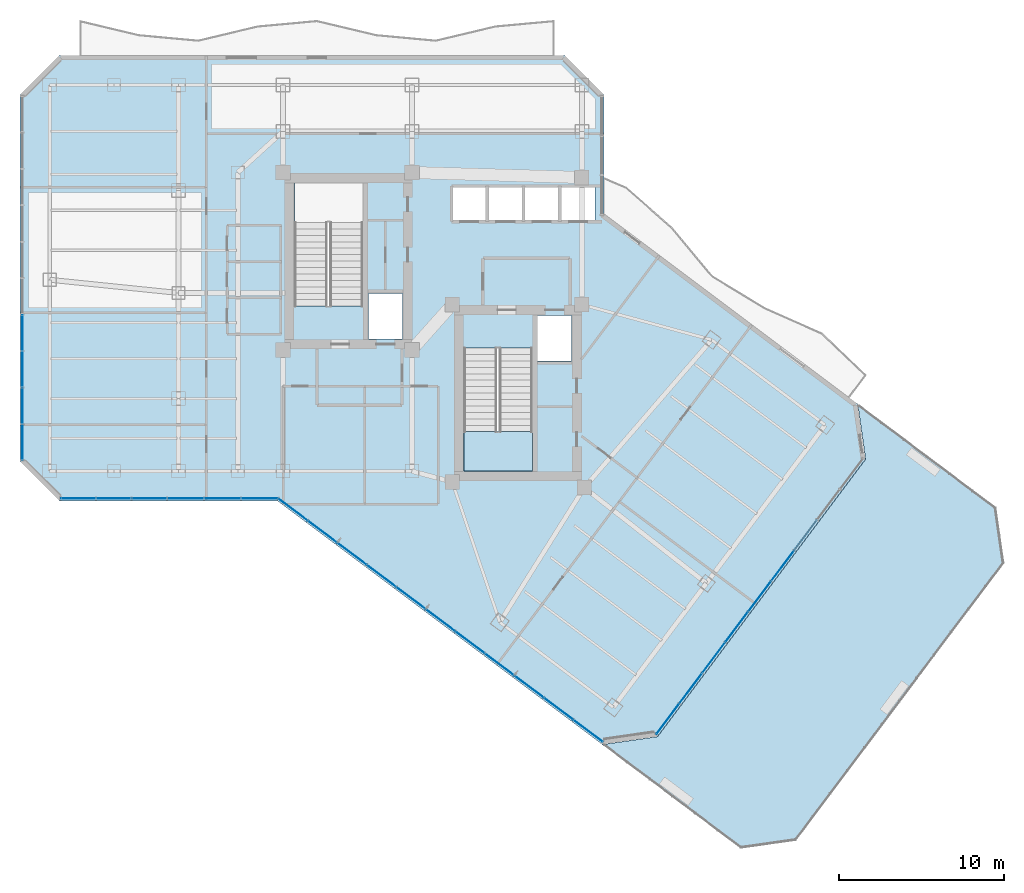
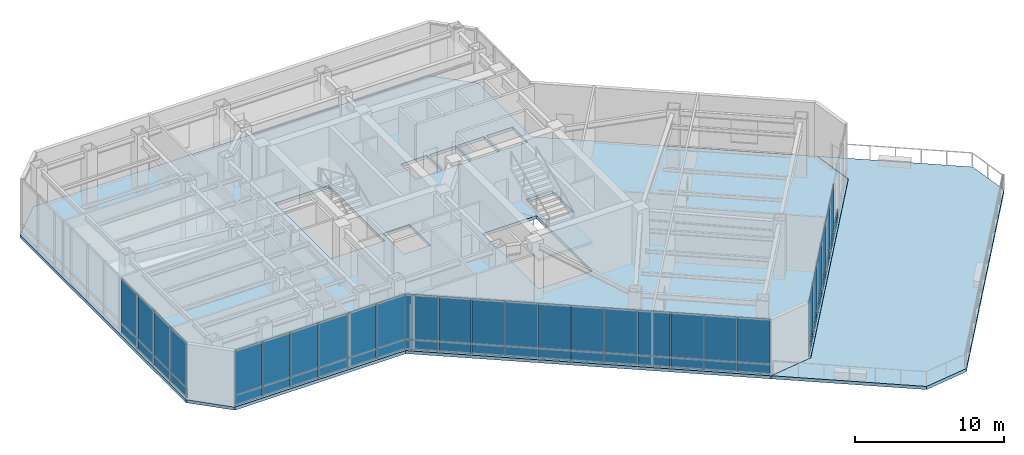
# One storey, part 21 of 30: 55 plates, 3 slabs, 6 elements without a shape of their own.
"""IFC4 building model written with IfcOpenShell, lengths in metres."""

from ifc_helpers import new_model, si_unit, direction, frame, origin, origin_2d, place, context, subcontext, project, spatial, polyline, rectangle, outline, extrude, material, layer, layer_set, type_object, element, aggregate, save


model = new_model("IFC4")

# Units and contexts
model_context = context("Model", 3, precision=1e-05, world=origin(), true_north=direction((0.0, 1.0)))
body_context = subcontext(model_context, "Body", "Model", "MODEL_VIEW")
ifc_project = project(units=[si_unit("LENGTHUNIT", "METRE"), si_unit("AREAUNIT", "SQUARE_METRE"), si_unit("VOLUMEUNIT", "CUBIC_METRE"), si_unit("PLANEANGLEUNIT", "RADIAN"), si_unit("MASSUNIT", "GRAM", prefix="KILO")], contexts=[model_context])

# Site, building, storey
site_placement = place(None, origin())
site = spatial("IfcSite", under=ifc_project, at=site_placement, CompositionType="ELEMENT")
building_placement = place(site_placement, origin())
building = spatial("IfcBuilding", under=site, at=building_placement, Name="Hatsunagi Terrace Concourse", CompositionType="ELEMENT")
storey_placement = place(building_placement, frame((0.0, 0.0, 130.050048828125)))
storey = spatial("IfcBuildingStorey", under=building, at=storey_placement, Name="L34", CompositionType="ELEMENT", Elevation=130.050048828125)

# Curtain wall, plates
ifc_material_1 = material(Name="Anodised Aluminium Alloy 6063-T5", Category="aluminium")
ifc_layer_1 = layer(ifc_material_1, 0.199951171875)
ifc_layer_set_1 = layer_set([ifc_layer_1], Name="SkyLobbyAtrium_CW05")
curtain_wall_type = type_object("IfcCurtainWallType", Name="SkyLobbyAtrium_CW05", PredefinedType="NOTDEFINED", material=ifc_layer_set_1)
curtain_wall_1_placement = place(storey_placement, origin())
curtain_wall_1 = element("IfcCurtainWall", 1, at=curtain_wall_1_placement, inside=storey, type_object=curtain_wall_type, Name="Unitised Curtain Wall CW-05 CW-L34-03", PredefinedType="NOTDEFINED")
ifc_material_2 = material(Name="Warm Terracotta Ceramic Spandrel Panel", Category="masonry")
ifc_layer_2 = layer(ifc_material_2, 0.031982421875)
ifc_layer_set_2 = layer_set([ifc_layer_2], Name="CurtainWallSpandrelPanel_32")
plate_type_1 = type_object("IfcPlateType", Name="CurtainWallSpandrelPanel_32", PredefinedType="SHEET", material=ifc_layer_set_2)
plate_1_placement = place(storey_placement, frame((57.2119140625, 21.31689453125, 0.030029296875), z_axis=(0.0, 0.0, 1.0), x_axis=(-0.599969314634, -0.800023013105, 0.0)))
plate_1 = element("IfcPlate", 2, at=plate_1_placement, type_object=plate_type_1, Name="Terracotta Spandrel Panel SPN-01", PredefinedType="SHEET", context=body_context, shape_type="SweptSolid", body=[
    extrude(rectangle(XDim=2.264892578125, YDim=0.031982421875, at=origin_2d()), origin(), (0.0, 0.0, 1.0), 0.7900390625),
])
plate_2_placement = place(storey_placement, frame((55.820068359375, 19.4599609375, 0.030029296875), z_axis=(0.0, 0.0, 1.0), x_axis=(-0.599969314634, -0.800023013105, 0.0)))
plate_2 = element("IfcPlate", 3, at=plate_2_placement, type_object=plate_type_1, Name="Terracotta Spandrel Panel SPN-01", PredefinedType="SHEET", context=body_context, shape_type="SweptSolid", body=[
    extrude(rectangle(XDim=2.264892578125, YDim=0.031982421875, at=origin_2d()), origin(), (0.0, 0.0, 1.0), 0.7900390625),
])
plate_3_placement = place(storey_placement, frame((54.427978515625, 17.60400390625, 0.030029296875), z_axis=(0.0, 0.0, 1.0), x_axis=(-0.599969314634, -0.800023013105, 0.0)))
plate_3 = element("IfcPlate", 4, at=plate_3_placement, type_object=plate_type_1, Name="Terracotta Spandrel Panel SPN-01", PredefinedType="SHEET", context=body_context, shape_type="SweptSolid", body=[
    extrude(rectangle(XDim=2.264892578125, YDim=0.031982421875, at=origin_2d()), origin(), (0.0, 0.0, 1.0), 0.7900390625),
])
plate_4_placement = place(storey_placement, frame((53.035888671875, 15.748046875, 0.030029296875), z_axis=(0.0, 0.0, 1.0), x_axis=(-0.599969314634, -0.800023013105, 0.0)))
plate_4 = element("IfcPlate", 5, at=plate_4_placement, type_object=plate_type_1, Name="Terracotta Spandrel Panel SPN-01", PredefinedType="SHEET", context=body_context, shape_type="SweptSolid", body=[
    extrude(rectangle(XDim=2.264892578125, YDim=0.031982421875, at=origin_2d()), origin(), (0.0, 0.0, 1.0), 0.7900390625),
])
plate_5_placement = place(storey_placement, frame((51.64404296875, 13.89111328125, 0.030029296875), z_axis=(0.0, 0.0, 1.0), x_axis=(-0.599969314634, -0.800023013105, 0.0)))
plate_5 = element("IfcPlate", 6, at=plate_5_placement, type_object=plate_type_1, Name="Terracotta Spandrel Panel SPN-01", PredefinedType="SHEET", context=body_context, shape_type="SweptSolid", body=[
    extrude(rectangle(XDim=2.264892578125, YDim=0.031982421875, at=origin_2d()), origin(), (0.0, 0.0, 1.0), 0.7900390625),
])
plate_6_placement = place(storey_placement, frame((50.2509765625, 12.034912109375, 0.030029296875), z_axis=(0.0, 0.0, 1.0), x_axis=(-0.599969314634, -0.800023013105, 0.0)))
plate_6 = element("IfcPlate", 7, at=plate_6_placement, type_object=plate_type_1, Name="Terracotta Spandrel Panel SPN-01", PredefinedType="SHEET", context=body_context, shape_type="SweptSolid", body=[
    extrude(rectangle(XDim=2.264892578125, YDim=0.031982421875, at=origin_2d()), origin(), (0.0, 0.0, 1.0), 0.7900390625),
])
plate_7_placement = place(storey_placement, frame((48.85888671875, 10.177978515625, 0.030029296875), z_axis=(0.0, 0.0, 1.0), x_axis=(-0.599969314634, -0.800023013105, 0.0)))
plate_7 = element("IfcPlate", 8, at=plate_7_placement, type_object=plate_type_1, Name="Terracotta Spandrel Panel SPN-01", PredefinedType="SHEET", context=body_context, shape_type="SweptSolid", body=[
    extrude(rectangle(XDim=2.264892578125, YDim=0.031982421875, at=origin_2d()), origin(), (0.0, 0.0, 1.0), 0.7900390625),
])

curtain_wall_2_placement = place(storey_placement, origin())
curtain_wall_2 = element("IfcCurtainWall", 9, at=curtain_wall_2_placement, inside=storey, type_object=curtain_wall_type, Name="Unitised Curtain Wall CW-05 CW-L34-05", PredefinedType="NOTDEFINED")
plate_8_placement = place(storey_placement, frame((44.02392578125, 9.4580078125, 0.030029296875), z_axis=(0.0, 0.0, 1.0), x_axis=(-0.800005211305, 0.599993051531, 0.0)))
plate_8 = element("IfcPlate", 10, at=plate_8_placement, type_object=plate_type_1, Name="Terracotta Spandrel Panel SPN-01", PredefinedType="SHEET", context=body_context, shape_type="SweptSolid", body=[
    extrude(rectangle(XDim=2.179931640625, YDim=0.031982421875, at=origin_2d()), origin(), (0.0, 0.0, 1.0), 0.7900390625),
])
plate_9_placement = place(storey_placement, frame((42.236083984375, 10.799072265625, 0.030029296875), z_axis=(0.0, 0.0, 1.0), x_axis=(-0.800005211305, 0.599993051531, 0.0)))
plate_9 = element("IfcPlate", 11, at=plate_9_placement, type_object=plate_type_1, Name="Terracotta Spandrel Panel SPN-01", PredefinedType="SHEET", context=body_context, shape_type="SweptSolid", body=[
    extrude(rectangle(XDim=2.179931640625, YDim=0.031982421875, at=origin_2d()), origin(), (0.0, 0.0, 1.0), 0.7900390625),
])
plate_10_placement = place(storey_placement, frame((40.447021484375, 12.139892578125, 0.030029296875), z_axis=(0.0, 0.0, 1.0), x_axis=(-0.800005211305, 0.599993051531, 0.0)))
plate_10 = element("IfcPlate", 12, at=plate_10_placement, type_object=plate_type_1, Name="Terracotta Spandrel Panel SPN-01", PredefinedType="SHEET", context=body_context, shape_type="SweptSolid", body=[
    extrude(rectangle(XDim=2.179931640625, YDim=0.031982421875, at=origin_2d()), origin(), (0.0, 0.0, 1.0), 0.7900390625),
])
plate_11_placement = place(storey_placement, frame((38.658935546875, 13.48095703125, 0.030029296875), z_axis=(0.0, 0.0, 1.0), x_axis=(-0.800005211305, 0.599993051531, 0.0)))
plate_11 = element("IfcPlate", 13, at=plate_11_placement, type_object=plate_type_1, Name="Terracotta Spandrel Panel SPN-01", PredefinedType="SHEET", context=body_context, shape_type="SweptSolid", body=[
    extrude(rectangle(XDim=2.179931640625, YDim=0.031982421875, at=origin_2d()), origin(), (0.0, 0.0, 1.0), 0.7900390625),
])
plate_12_placement = place(storey_placement, frame((36.87109375, 14.822021484375, 0.030029296875), z_axis=(0.0, 0.0, 1.0), x_axis=(-0.800005211305, 0.599993051531, 0.0)))
plate_12 = element("IfcPlate", 14, at=plate_12_placement, type_object=plate_type_1, Name="Terracotta Spandrel Panel SPN-01", PredefinedType="SHEET", context=body_context, shape_type="SweptSolid", body=[
    extrude(rectangle(XDim=2.179931640625, YDim=0.031982421875, at=origin_2d()), origin(), (0.0, 0.0, 1.0), 0.7900390625),
])
plate_13_placement = place(storey_placement, frame((35.08203125, 16.1630859375, 0.030029296875), z_axis=(0.0, 0.0, 1.0), x_axis=(-0.800005211305, 0.599993051531, 0.0)))
plate_13 = element("IfcPlate", 15, at=plate_13_placement, type_object=plate_type_1, Name="Terracotta Spandrel Panel SPN-01", PredefinedType="SHEET", context=body_context, shape_type="SweptSolid", body=[
    extrude(rectangle(XDim=2.179931640625, YDim=0.031982421875, at=origin_2d()), origin(), (0.0, 0.0, 1.0), 0.7900390625),
])
plate_14_placement = place(storey_placement, frame((33.2939453125, 17.5048828125, 0.030029296875), z_axis=(0.0, 0.0, 1.0), x_axis=(-0.800005211305, 0.599993051531, 0.0)))
plate_14 = element("IfcPlate", 16, at=plate_14_placement, type_object=plate_type_1, Name="Terracotta Spandrel Panel SPN-01", PredefinedType="SHEET", context=body_context, shape_type="SweptSolid", body=[
    extrude(rectangle(XDim=2.179931640625, YDim=0.031982421875, at=origin_2d()), origin(), (0.0, 0.0, 1.0), 0.7900390625),
])
plate_15_placement = place(storey_placement, frame((31.506103515625, 18.845947265625, 0.030029296875), z_axis=(0.0, 0.0, 1.0), x_axis=(-0.800005211305, 0.599993051531, 0.0)))
plate_15 = element("IfcPlate", 17, at=plate_15_placement, type_object=plate_type_1, Name="Terracotta Spandrel Panel SPN-01", PredefinedType="SHEET", context=body_context, shape_type="SweptSolid", body=[
    extrude(rectangle(XDim=2.179931640625, YDim=0.031982421875, at=origin_2d()), origin(), (0.0, 0.0, 1.0), 0.7900390625),
])
plate_16_placement = place(storey_placement, frame((29.718017578125, 20.18701171875, 0.030029296875), z_axis=(0.0, 0.0, 1.0), x_axis=(-0.800005211305, 0.599993051531, 0.0)))
plate_16 = element("IfcPlate", 18, at=plate_16_placement, type_object=plate_type_1, Name="Terracotta Spandrel Panel SPN-01", PredefinedType="SHEET", context=body_context, shape_type="SweptSolid", body=[
    extrude(rectangle(XDim=2.179931640625, YDim=0.031982421875, at=origin_2d()), origin(), (0.0, 0.0, 1.0), 0.7900390625),
])
plate_17_placement = place(storey_placement, frame((27.928955078125, 21.528076171875, 0.030029296875), z_axis=(0.0, 0.0, 1.0), x_axis=(-0.800005211305, 0.599993051531, 0.0)))
plate_17 = element("IfcPlate", 19, at=plate_17_placement, type_object=plate_type_1, Name="Terracotta Spandrel Panel SPN-01", PredefinedType="SHEET", context=body_context, shape_type="SweptSolid", body=[
    extrude(rectangle(XDim=2.179931640625, YDim=0.031982421875, at=origin_2d()), origin(), (0.0, 0.0, 1.0), 0.7900390625),
])
plate_18_placement = place(storey_placement, frame((26.14111328125, 22.868896484375, 0.030029296875), z_axis=(0.0, 0.0, 1.0), x_axis=(-0.800005211305, 0.599993051531, 0.0)))
plate_18 = element("IfcPlate", 20, at=plate_18_placement, type_object=plate_type_1, Name="Terracotta Spandrel Panel SPN-01", PredefinedType="SHEET", context=body_context, shape_type="SweptSolid", body=[
    extrude(rectangle(XDim=2.179931640625, YDim=0.031982421875, at=origin_2d()), origin(), (0.0, 0.0, 1.0), 0.7900390625),
])

curtain_wall_3_placement = place(storey_placement, origin())
curtain_wall_3 = element("IfcCurtainWall", 21, at=curtain_wall_3_placement, inside=storey, type_object=curtain_wall_type, Name="Unitised Curtain Wall CW-05 CW-L34-06", PredefinedType="NOTDEFINED")
plate_19_placement = place(storey_placement, frame((24.1220703125, 23.5400390625, 0.030029296875), z_axis=(0.0, 0.0, 1.0), x_axis=(-1.0, 0.0, 0.0)))
plate_19 = element("IfcPlate", 22, at=plate_19_placement, type_object=plate_type_1, Name="Terracotta Spandrel Panel SPN-01", PredefinedType="SHEET", context=body_context, shape_type="SweptSolid", body=[
    extrude(rectangle(XDim=2.194091796875, YDim=0.031982421875, at=origin_2d()), origin(), (0.0, 0.0, 1.0), 0.7900390625),
])
plate_20_placement = place(storey_placement, frame((21.873046875, 23.5400390625, 0.030029296875), z_axis=(0.0, 0.0, 1.0), x_axis=(-1.0, 0.0, 0.0)))
plate_20 = element("IfcPlate", 23, at=plate_20_placement, type_object=plate_type_1, Name="Terracotta Spandrel Panel SPN-01", PredefinedType="SHEET", context=body_context, shape_type="SweptSolid", body=[
    extrude(rectangle(XDim=2.194091796875, YDim=0.031982421875, at=origin_2d()), origin(), (0.0, 0.0, 1.0), 0.7900390625),
])
plate_21_placement = place(storey_placement, frame((19.6240234375, 23.5400390625, 0.030029296875), z_axis=(0.0, 0.0, 1.0), x_axis=(-1.0, 0.0, 0.0)))
plate_21 = element("IfcPlate", 24, at=plate_21_placement, type_object=plate_type_1, Name="Terracotta Spandrel Panel SPN-01", PredefinedType="SHEET", context=body_context, shape_type="SweptSolid", body=[
    extrude(rectangle(XDim=2.194091796875, YDim=0.031982421875, at=origin_2d()), origin(), (0.0, 0.0, 1.0), 0.7900390625),
])

curtain_wall_4_placement = place(storey_placement, origin())
curtain_wall_4 = element("IfcCurtainWall", 25, at=curtain_wall_4_placement, inside=storey, type_object=curtain_wall_type, Name="Unitised Curtain Wall CW-05 CW-L34-07", PredefinedType="NOTDEFINED")
plate_22_placement = place(storey_placement, frame((17.426025390625, 23.5400390625, 0.030029296875), z_axis=(0.0, 0.0, 1.0), x_axis=(-1.0, 0.0, 0.0)))
plate_22 = element("IfcPlate", 26, at=plate_22_placement, type_object=plate_type_1, Name="Terracotta Spandrel Panel SPN-01", PredefinedType="SHEET", context=body_context, shape_type="SweptSolid", body=[
    extrude(rectangle(XDim=2.092041015625, YDim=0.031982421875, at=origin_2d()), origin(), (0.0, 0.0, 1.0), 0.7900390625),
])
plate_23_placement = place(storey_placement, frame((15.279052734375, 23.5400390625, 0.030029296875), z_axis=(0.0, 0.0, 1.0), x_axis=(-1.0, 0.0, 0.0)))
plate_23 = element("IfcPlate", 27, at=plate_23_placement, type_object=plate_type_1, Name="Terracotta Spandrel Panel SPN-01", PredefinedType="SHEET", context=body_context, shape_type="SweptSolid", body=[
    extrude(rectangle(XDim=2.092041015625, YDim=0.031982421875, at=origin_2d()), origin(), (0.0, 0.0, 1.0), 0.7900390625),
])
plate_24_placement = place(storey_placement, frame((13.132080078125, 23.5400390625, 0.030029296875), z_axis=(0.0, 0.0, 1.0), x_axis=(-1.0, 0.0, 0.0)))
plate_24 = element("IfcPlate", 28, at=plate_24_placement, type_object=plate_type_1, Name="Terracotta Spandrel Panel SPN-01", PredefinedType="SHEET", context=body_context, shape_type="SweptSolid", body=[
    extrude(rectangle(XDim=2.092041015625, YDim=0.031982421875, at=origin_2d()), origin(), (0.0, 0.0, 1.0), 0.7900390625),
])

curtain_wall_5_placement = place(storey_placement, origin())
curtain_wall_5 = element("IfcCurtainWall", 29, at=curtain_wall_5_placement, inside=storey, type_object=curtain_wall_type, Name="Unitised Curtain Wall CW-05 CW-L34-09", PredefinedType="NOTDEFINED")
plate_25_placement = place(storey_placement, frame((9.739990234375, 26.9619140625, 0.030029296875), z_axis=(0.0, 0.0, 1.0), x_axis=(0.0, 1.0, 0.0)))
plate_25 = element("IfcPlate", 30, at=plate_25_placement, type_object=plate_type_1, Name="Terracotta Spandrel Panel SPN-01", PredefinedType="SHEET", context=body_context, shape_type="SweptSolid", body=[
    extrude(rectangle(XDim=2.153076171875, YDim=0.031982421875, at=origin_2d()), origin(), (0.0, 0.0, 1.0), 0.7900390625),
])
plate_26_placement = place(storey_placement, frame((9.739990234375, 29.1708984375, 0.030029296875), z_axis=(0.0, 0.0, 1.0), x_axis=(0.0, 1.0, 0.0)))
plate_26 = element("IfcPlate", 31, at=plate_26_placement, type_object=plate_type_1, Name="Terracotta Spandrel Panel SPN-01", PredefinedType="SHEET", context=body_context, shape_type="SweptSolid", body=[
    extrude(rectangle(XDim=2.153076171875, YDim=0.031982421875, at=origin_2d()), origin(), (0.0, 0.0, 1.0), 0.7900390625),
])
plate_27_placement = place(storey_placement, frame((9.739990234375, 31.37890625, 0.030029296875), z_axis=(0.0, 0.0, 1.0), x_axis=(0.0, 1.0, 0.0)))
plate_27 = element("IfcPlate", 32, at=plate_27_placement, type_object=plate_type_1, Name="Terracotta Spandrel Panel SPN-01", PredefinedType="SHEET", context=body_context, shape_type="SweptSolid", body=[
    extrude(rectangle(XDim=2.153076171875, YDim=0.031982421875, at=origin_2d()), origin(), (0.0, 0.0, 1.0), 0.7900390625),
])
plate_28_placement = place(storey_placement, frame((9.739990234375, 33.5869140625, 0.030029296875), z_axis=(0.0, 0.0, 1.0), x_axis=(0.0, 1.0, 0.0)))
plate_28 = element("IfcPlate", 33, at=plate_28_placement, type_object=plate_type_1, Name="Terracotta Spandrel Panel SPN-01", PredefinedType="SHEET", context=body_context, shape_type="SweptSolid", body=[
    extrude(rectangle(XDim=2.153076171875, YDim=0.031982421875, at=origin_2d()), origin(), (0.0, 0.0, 1.0), 0.7900390625),
])

# Plate
ifc_material_3 = material(Name="Low-E Double Insulating Glass 28mm", Category="glass")
ifc_layer_3 = layer(ifc_material_3, 0.028076171875)
ifc_layer_set_3 = layer_set([ifc_layer_3], Name="CurtainWallVisionGlass_28")
plate_type_2 = type_object("IfcPlateType", Name="CurtainWallVisionGlass_28", PredefinedType="CURTAIN_PANEL", material=ifc_layer_set_3)
plate_29_placement = place(storey_placement, frame((55.820068359375, 19.4599609375, 0.8798828125), z_axis=(0.0, 0.0, 1.0), x_axis=(-0.599969314634, -0.800023013105, 0.0)))
plate_29 = element("IfcPlate", 34, at=plate_29_placement, type_object=plate_type_2, Name="Low-E Vision Glass Panel GLZ-01", PredefinedType="CURTAIN_PANEL", context=body_context, shape_type="SweptSolid", body=[
    extrude(rectangle(XDim=2.264892578125, YDim=0.028076171875, at=origin_2d()), origin(), (0.0, 0.0, 1.0), 3.639892578125),
])

plate_30_placement = place(storey_placement, frame((54.427978515625, 17.60400390625, 0.8798828125), z_axis=(0.0, 0.0, 1.0), x_axis=(-0.599969314634, -0.800023013105, 0.0)))
plate_30 = element("IfcPlate", 35, at=plate_30_placement, type_object=plate_type_2, Name="Low-E Vision Glass Panel GLZ-01", PredefinedType="CURTAIN_PANEL", context=body_context, shape_type="SweptSolid", body=[
    extrude(rectangle(XDim=2.264892578125, YDim=0.028076171875, at=origin_2d()), origin(), (0.0, 0.0, 1.0), 3.639892578125),
])

plate_31_placement = place(storey_placement, frame((53.035888671875, 15.748046875, 0.8798828125), z_axis=(0.0, 0.0, 1.0), x_axis=(-0.599969314634, -0.800023013105, 0.0)))
plate_31 = element("IfcPlate", 36, at=plate_31_placement, type_object=plate_type_2, Name="Low-E Vision Glass Panel GLZ-01", PredefinedType="CURTAIN_PANEL", context=body_context, shape_type="SweptSolid", body=[
    extrude(rectangle(XDim=2.264892578125, YDim=0.028076171875, at=origin_2d()), origin(), (0.0, 0.0, 1.0), 3.639892578125),
])

plate_32_placement = place(storey_placement, frame((51.64404296875, 13.89111328125, 0.8798828125), z_axis=(0.0, 0.0, 1.0), x_axis=(-0.599969314634, -0.800023013105, 0.0)))
plate_32 = element("IfcPlate", 37, at=plate_32_placement, type_object=plate_type_2, Name="Low-E Vision Glass Panel GLZ-01", PredefinedType="CURTAIN_PANEL", context=body_context, shape_type="SweptSolid", body=[
    extrude(rectangle(XDim=2.264892578125, YDim=0.028076171875, at=origin_2d()), origin(), (0.0, 0.0, 1.0), 3.639892578125),
])

plate_33_placement = place(storey_placement, frame((50.2509765625, 12.034912109375, 0.8798828125), z_axis=(0.0, 0.0, 1.0), x_axis=(-0.599969314634, -0.800023013105, 0.0)))
plate_33 = element("IfcPlate", 38, at=plate_33_placement, type_object=plate_type_2, Name="Low-E Vision Glass Panel GLZ-01", PredefinedType="CURTAIN_PANEL", context=body_context, shape_type="SweptSolid", body=[
    extrude(rectangle(XDim=2.264892578125, YDim=0.028076171875, at=origin_2d()), origin(), (0.0, 0.0, 1.0), 3.639892578125),
])

plate_34_placement = place(storey_placement, frame((48.85888671875, 10.177978515625, 0.8798828125), z_axis=(0.0, 0.0, 1.0), x_axis=(-0.599969314634, -0.800023013105, 0.0)))
plate_34 = element("IfcPlate", 39, at=plate_34_placement, type_object=plate_type_2, Name="Low-E Vision Glass Panel GLZ-01", PredefinedType="CURTAIN_PANEL", context=body_context, shape_type="SweptSolid", body=[
    extrude(rectangle(XDim=2.264892578125, YDim=0.028076171875, at=origin_2d()), origin(), (0.0, 0.0, 1.0), 3.639892578125),
])

aggregate(curtain_wall_1, [plate_1, plate_2, plate_29, plate_3, plate_30, plate_4, plate_31, plate_5, plate_32, plate_6, plate_33, plate_7, plate_34])

plate_35_placement = place(storey_placement, frame((44.02392578125, 9.4580078125, 0.8798828125), z_axis=(0.0, 0.0, 1.0), x_axis=(-0.800005211305, 0.599993051531, 0.0)))
plate_35 = element("IfcPlate", 40, at=plate_35_placement, type_object=plate_type_2, Name="Low-E Vision Glass Panel GLZ-01", PredefinedType="CURTAIN_PANEL", context=body_context, shape_type="SweptSolid", body=[
    extrude(rectangle(XDim=2.179931640625, YDim=0.028076171875, at=origin_2d()), origin(), (0.0, 0.0, 1.0), 3.639892578125),
])

plate_36_placement = place(storey_placement, frame((42.236083984375, 10.799072265625, 0.8798828125), z_axis=(0.0, 0.0, 1.0), x_axis=(-0.800005211305, 0.599993051531, 0.0)))
plate_36 = element("IfcPlate", 41, at=plate_36_placement, type_object=plate_type_2, Name="Low-E Vision Glass Panel GLZ-01", PredefinedType="CURTAIN_PANEL", context=body_context, shape_type="SweptSolid", body=[
    extrude(rectangle(XDim=2.179931640625, YDim=0.028076171875, at=origin_2d()), origin(), (0.0, 0.0, 1.0), 3.639892578125),
])

plate_37_placement = place(storey_placement, frame((40.447021484375, 12.139892578125, 0.8798828125), z_axis=(0.0, 0.0, 1.0), x_axis=(-0.800005211305, 0.599993051531, 0.0)))
plate_37 = element("IfcPlate", 42, at=plate_37_placement, type_object=plate_type_2, Name="Low-E Vision Glass Panel GLZ-01", PredefinedType="CURTAIN_PANEL", context=body_context, shape_type="SweptSolid", body=[
    extrude(rectangle(XDim=2.179931640625, YDim=0.028076171875, at=origin_2d()), origin(), (0.0, 0.0, 1.0), 3.639892578125),
])

plate_38_placement = place(storey_placement, frame((38.658935546875, 13.48095703125, 0.8798828125), z_axis=(0.0, 0.0, 1.0), x_axis=(-0.800005211305, 0.599993051531, 0.0)))
plate_38 = element("IfcPlate", 43, at=plate_38_placement, type_object=plate_type_2, Name="Low-E Vision Glass Panel GLZ-01", PredefinedType="CURTAIN_PANEL", context=body_context, shape_type="SweptSolid", body=[
    extrude(rectangle(XDim=2.179931640625, YDim=0.028076171875, at=origin_2d()), origin(), (0.0, 0.0, 1.0), 3.639892578125),
])

plate_39_placement = place(storey_placement, frame((36.87109375, 14.822021484375, 0.8798828125), z_axis=(0.0, 0.0, 1.0), x_axis=(-0.800005211305, 0.599993051531, 0.0)))
plate_39 = element("IfcPlate", 44, at=plate_39_placement, type_object=plate_type_2, Name="Low-E Vision Glass Panel GLZ-01", PredefinedType="CURTAIN_PANEL", context=body_context, shape_type="SweptSolid", body=[
    extrude(rectangle(XDim=2.179931640625, YDim=0.028076171875, at=origin_2d()), origin(), (0.0, 0.0, 1.0), 3.639892578125),
])

plate_40_placement = place(storey_placement, frame((35.08203125, 16.1630859375, 0.8798828125), z_axis=(0.0, 0.0, 1.0), x_axis=(-0.800005211305, 0.599993051531, 0.0)))
plate_40 = element("IfcPlate", 45, at=plate_40_placement, type_object=plate_type_2, Name="Low-E Vision Glass Panel GLZ-01", PredefinedType="CURTAIN_PANEL", context=body_context, shape_type="SweptSolid", body=[
    extrude(rectangle(XDim=2.179931640625, YDim=0.028076171875, at=origin_2d()), origin(), (0.0, 0.0, 1.0), 3.639892578125),
])

plate_41_placement = place(storey_placement, frame((33.2939453125, 17.5048828125, 0.8798828125), z_axis=(0.0, 0.0, 1.0), x_axis=(-0.800005211305, 0.599993051531, 0.0)))
plate_41 = element("IfcPlate", 46, at=plate_41_placement, type_object=plate_type_2, Name="Low-E Vision Glass Panel GLZ-01", PredefinedType="CURTAIN_PANEL", context=body_context, shape_type="SweptSolid", body=[
    extrude(rectangle(XDim=2.179931640625, YDim=0.028076171875, at=origin_2d()), origin(), (0.0, 0.0, 1.0), 3.639892578125),
])

plate_42_placement = place(storey_placement, frame((31.506103515625, 18.845947265625, 0.8798828125), z_axis=(0.0, 0.0, 1.0), x_axis=(-0.800005211305, 0.599993051531, 0.0)))
plate_42 = element("IfcPlate", 47, at=plate_42_placement, type_object=plate_type_2, Name="Low-E Vision Glass Panel GLZ-01", PredefinedType="CURTAIN_PANEL", context=body_context, shape_type="SweptSolid", body=[
    extrude(rectangle(XDim=2.179931640625, YDim=0.028076171875, at=origin_2d()), origin(), (0.0, 0.0, 1.0), 3.639892578125),
])

plate_43_placement = place(storey_placement, frame((29.718017578125, 20.18701171875, 0.8798828125), z_axis=(0.0, 0.0, 1.0), x_axis=(-0.800005211305, 0.599993051531, 0.0)))
plate_43 = element("IfcPlate", 48, at=plate_43_placement, type_object=plate_type_2, Name="Low-E Vision Glass Panel GLZ-01", PredefinedType="CURTAIN_PANEL", context=body_context, shape_type="SweptSolid", body=[
    extrude(rectangle(XDim=2.179931640625, YDim=0.028076171875, at=origin_2d()), origin(), (0.0, 0.0, 1.0), 3.639892578125),
])

plate_44_placement = place(storey_placement, frame((27.928955078125, 21.528076171875, 0.8798828125), z_axis=(0.0, 0.0, 1.0), x_axis=(-0.800005211305, 0.599993051531, 0.0)))
plate_44 = element("IfcPlate", 49, at=plate_44_placement, type_object=plate_type_2, Name="Low-E Vision Glass Panel GLZ-01", PredefinedType="CURTAIN_PANEL", context=body_context, shape_type="SweptSolid", body=[
    extrude(rectangle(XDim=2.179931640625, YDim=0.028076171875, at=origin_2d()), origin(), (0.0, 0.0, 1.0), 3.639892578125),
])

plate_45_placement = place(storey_placement, frame((26.14111328125, 22.868896484375, 0.8798828125), z_axis=(0.0, 0.0, 1.0), x_axis=(-0.800005211305, 0.599993051531, 0.0)))
plate_45 = element("IfcPlate", 50, at=plate_45_placement, type_object=plate_type_2, Name="Low-E Vision Glass Panel GLZ-01", PredefinedType="CURTAIN_PANEL", context=body_context, shape_type="SweptSolid", body=[
    extrude(rectangle(XDim=2.179931640625, YDim=0.028076171875, at=origin_2d()), origin(), (0.0, 0.0, 1.0), 3.639892578125),
])

aggregate(curtain_wall_2, [plate_8, plate_35, plate_9, plate_36, plate_10, plate_37, plate_11, plate_38, plate_12, plate_39, plate_13, plate_40, plate_14, plate_41, plate_15, plate_42, plate_16, plate_43, plate_17, plate_44, plate_18, plate_45])

plate_46_placement = place(storey_placement, frame((24.1220703125, 23.5400390625, 0.8798828125), z_axis=(0.0, 0.0, 1.0), x_axis=(-1.0, 0.0, 0.0)))
plate_46 = element("IfcPlate", 51, at=plate_46_placement, type_object=plate_type_2, Name="Low-E Vision Glass Panel GLZ-01", PredefinedType="CURTAIN_PANEL", context=body_context, shape_type="SweptSolid", body=[
    extrude(rectangle(XDim=2.194091796875, YDim=0.028076171875, at=origin_2d()), origin(), (0.0, 0.0, 1.0), 3.639892578125),
])

plate_47_placement = place(storey_placement, frame((21.873046875, 23.5400390625, 0.8798828125), z_axis=(0.0, 0.0, 1.0), x_axis=(-1.0, 0.0, 0.0)))
plate_47 = element("IfcPlate", 52, at=plate_47_placement, type_object=plate_type_2, Name="Low-E Vision Glass Panel GLZ-01", PredefinedType="CURTAIN_PANEL", context=body_context, shape_type="SweptSolid", body=[
    extrude(rectangle(XDim=2.194091796875, YDim=0.028076171875, at=origin_2d()), origin(), (0.0, 0.0, 1.0), 3.639892578125),
])

plate_48_placement = place(storey_placement, frame((19.6240234375, 23.5400390625, 0.8798828125), z_axis=(0.0, 0.0, 1.0), x_axis=(-1.0, 0.0, 0.0)))
plate_48 = element("IfcPlate", 53, at=plate_48_placement, type_object=plate_type_2, Name="Low-E Vision Glass Panel GLZ-01", PredefinedType="CURTAIN_PANEL", context=body_context, shape_type="SweptSolid", body=[
    extrude(rectangle(XDim=2.194091796875, YDim=0.028076171875, at=origin_2d()), origin(), (0.0, 0.0, 1.0), 3.639892578125),
])

aggregate(curtain_wall_3, [plate_19, plate_46, plate_20, plate_47, plate_21, plate_48])

plate_49_placement = place(storey_placement, frame((17.426025390625, 23.5400390625, 0.8798828125), z_axis=(0.0, 0.0, 1.0), x_axis=(-1.0, 0.0, 0.0)))
plate_49 = element("IfcPlate", 54, at=plate_49_placement, type_object=plate_type_2, Name="Low-E Vision Glass Panel GLZ-01", PredefinedType="CURTAIN_PANEL", context=body_context, shape_type="SweptSolid", body=[
    extrude(rectangle(XDim=2.092041015625, YDim=0.028076171875, at=origin_2d()), origin(), (0.0, 0.0, 1.0), 3.639892578125),
])

plate_50_placement = place(storey_placement, frame((15.279052734375, 23.5400390625, 0.8798828125), z_axis=(0.0, 0.0, 1.0), x_axis=(-1.0, 0.0, 0.0)))
plate_50 = element("IfcPlate", 55, at=plate_50_placement, type_object=plate_type_2, Name="Low-E Vision Glass Panel GLZ-01", PredefinedType="CURTAIN_PANEL", context=body_context, shape_type="SweptSolid", body=[
    extrude(rectangle(XDim=2.092041015625, YDim=0.028076171875, at=origin_2d()), origin(), (0.0, 0.0, 1.0), 3.639892578125),
])

plate_51_placement = place(storey_placement, frame((13.132080078125, 23.5400390625, 0.8798828125), z_axis=(0.0, 0.0, 1.0), x_axis=(-1.0, 0.0, 0.0)))
plate_51 = element("IfcPlate", 56, at=plate_51_placement, type_object=plate_type_2, Name="Low-E Vision Glass Panel GLZ-01", PredefinedType="CURTAIN_PANEL", context=body_context, shape_type="SweptSolid", body=[
    extrude(rectangle(XDim=2.092041015625, YDim=0.028076171875, at=origin_2d()), origin(), (0.0, 0.0, 1.0), 3.639892578125),
])

aggregate(curtain_wall_4, [plate_22, plate_49, plate_23, plate_50, plate_24, plate_51])

plate_52_placement = place(storey_placement, frame((9.739990234375, 26.9619140625, 0.8798828125), z_axis=(0.0, 0.0, 1.0), x_axis=(0.0, 1.0, 0.0)))
plate_52 = element("IfcPlate", 57, at=plate_52_placement, type_object=plate_type_2, Name="Low-E Vision Glass Panel GLZ-01", PredefinedType="CURTAIN_PANEL", context=body_context, shape_type="SweptSolid", body=[
    extrude(rectangle(XDim=2.153076171875, YDim=0.028076171875, at=origin_2d()), origin(), (0.0, 0.0, 1.0), 3.639892578125),
])

plate_53_placement = place(storey_placement, frame((9.739990234375, 29.1708984375, 0.8798828125), z_axis=(0.0, 0.0, 1.0), x_axis=(0.0, 1.0, 0.0)))
plate_53 = element("IfcPlate", 58, at=plate_53_placement, type_object=plate_type_2, Name="Low-E Vision Glass Panel GLZ-01", PredefinedType="CURTAIN_PANEL", context=body_context, shape_type="SweptSolid", body=[
    extrude(rectangle(XDim=2.153076171875, YDim=0.028076171875, at=origin_2d()), origin(), (0.0, 0.0, 1.0), 3.639892578125),
])

plate_54_placement = place(storey_placement, frame((9.739990234375, 31.37890625, 0.8798828125), z_axis=(0.0, 0.0, 1.0), x_axis=(0.0, 1.0, 0.0)))
plate_54 = element("IfcPlate", 59, at=plate_54_placement, type_object=plate_type_2, Name="Low-E Vision Glass Panel GLZ-01", PredefinedType="CURTAIN_PANEL", context=body_context, shape_type="SweptSolid", body=[
    extrude(rectangle(XDim=2.153076171875, YDim=0.028076171875, at=origin_2d()), origin(), (0.0, 0.0, 1.0), 3.639892578125),
])

plate_55_placement = place(storey_placement, frame((9.739990234375, 33.5869140625, 0.8798828125), z_axis=(0.0, 0.0, 1.0), x_axis=(0.0, 1.0, 0.0)))
plate_55 = element("IfcPlate", 60, at=plate_55_placement, type_object=plate_type_2, Name="Low-E Vision Glass Panel GLZ-01", PredefinedType="CURTAIN_PANEL", context=body_context, shape_type="SweptSolid", body=[
    extrude(rectangle(XDim=2.153076171875, YDim=0.028076171875, at=origin_2d()), origin(), (0.0, 0.0, 1.0), 3.639892578125),
])

aggregate(curtain_wall_5, [plate_25, plate_52, plate_26, plate_53, plate_27, plate_54, plate_28, plate_55])

# Stair, slab
ifc_material_4 = material(Name="Concrete Fc42", Category="concrete")
stair_type = type_object("IfcStairType", Name="DoglegExitStair_Tower2000_28R_171", PredefinedType="HALF_TURN_STAIR", material=ifc_material_4)
stair_placement = place(storey_placement, origin())
stair = element("IfcStair", 61, at=stair_placement, inside=storey, type_object=stair_type, Name="L34 Core B Protected Exit Stair ST-B", PredefinedType="HALF_TURN_STAIR")
ifc_material_5 = material(Name="Concrete Fc42", Category="concrete")
ifc_layer_4 = layer(ifc_material_5, 0.199951171875)
ifc_layer_set_4 = layer_set([ifc_layer_4], Name="DoglegStairLanding_Tower2000")
slab_type_1 = type_object("IfcSlabType", Name="DoglegStairLanding_Tower2000", PredefinedType="LANDING", material=ifc_layer_set_4)
slab_1_placement = place(storey_placement, frame((0.0, 0.0, 2.199951171875)))
slab_1 = element("IfcSlab", 62, at=slab_1_placement, type_object=slab_type_1, Name="ST-B landing 1", PredefinedType="LANDING", context=body_context, shape_type="SweptSolid", body=[
    extrude(outline(polyline([(36.5, 27.590087890625), (36.5, 25.199951171875), (40.64990234375, 25.199951171875), (40.64990234375, 27.590087890625), (36.5, 27.590087890625)])), origin(), (0.0, 0.0, 1.0), 0.199951171875),
])
aggregate(stair, [slab_1])

# Slabs
ifc_material_6 = material(Name="Concrete Fc42", Category="concrete")
ifc_layer_5 = layer(ifc_material_6, 0.25)
ifc_layer_set_5 = layer_set([ifc_layer_5], Name="OfficeCrownSlab_Fc42_250")
slab_type_2 = type_object("IfcSlabType", Name="OfficeCrownSlab_Fc42_250", PredefinedType="FLOOR", material=ifc_layer_set_5)
slab_2_placement = place(storey_placement, frame((0.0, 0.0, -0.25)))
element("IfcSlab", 63, at=slab_2_placement, inside=storey, type_object=slab_type_2, Name="Floor Slab SL-250 L34", PredefinedType="FLOOR", context=body_context, shape_type="SweptSolid", body=[
    extrude(outline(polyline([(45.0, 40.800048828125), (45.0, 48.0), (42.60009765625, 50.39990234375), (12.0, 50.39990234375), (9.60009765625, 48.0), (9.60009765625, 25.800048828125), (12.0, 23.39990234375), (25.199951171875, 23.39990234375), (44.8798828125, 8.639892578125), (48.239990234375, 9.1201171875), (60.840087890625, 25.919921875), (60.360107421875, 29.280029296875), (45.0, 40.800048828125)]), holes=[polyline([(26.22998046875, 35.205078125), (30.3798828125, 35.205078125), (30.3798828125, 42.659912109375), (26.22998046875, 42.659912109375), (26.22998046875, 35.205078125)]), polyline([(36.5, 25.199951171875), (40.64990234375, 25.199951171875), (40.64990234375, 32.655029296875), (36.5, 32.655029296875), (36.5, 25.199951171875)]), polyline([(30.719970703125, 33.219970703125), (32.780029296875, 33.219970703125), (32.780029296875, 35.97998046875), (30.719970703125, 35.97998046875), (30.719970703125, 33.219970703125)]), polyline([(40.97998046875, 31.8798828125), (43.02001953125, 31.8798828125), (43.02001953125, 34.639892578125), (40.97998046875, 34.639892578125), (40.97998046875, 31.8798828125)]), polyline([(35.800048828125, 40.39990234375), (37.85009765625, 40.39990234375), (37.85009765625, 42.39990234375), (35.800048828125, 42.39990234375), (35.800048828125, 40.39990234375)]), polyline([(38.0, 40.39990234375), (40.050048828125, 40.39990234375), (40.050048828125, 42.39990234375), (38.0, 42.39990234375), (38.0, 40.39990234375)]), polyline([(40.199951171875, 40.39990234375), (42.25, 40.39990234375), (42.25, 42.39990234375), (40.199951171875, 42.39990234375), (40.199951171875, 40.39990234375)]), polyline([(42.39990234375, 40.39990234375), (44.449951171875, 40.39990234375), (44.449951171875, 42.39990234375), (42.39990234375, 42.39990234375), (42.39990234375, 40.39990234375)])]), origin(), (0.0, 0.0, 1.0), 0.25),
])
ifc_material_7 = material(Name="Concrete Fc42", Category="concrete")
ifc_layer_6 = layer(ifc_material_7, 0.260009765625)
ifc_layer_set_6 = layer_set([ifc_layer_6], Name="SkyGardenTerraceSlab_Fc42_260")
slab_type_3 = type_object("IfcSlabType", Name="SkyGardenTerraceSlab_Fc42_260", PredefinedType="ROOF", material=ifc_layer_set_6)
slab_3_placement = place(storey_placement, frame((0.0, 0.0, -0.25)))
element("IfcSlab", 64, at=slab_3_placement, inside=storey, type_object=slab_type_3, Name="Sky Garden Terrace TER-L34-1", PredefinedType="ROOF", context=body_context, shape_type="SweptSolid", body=[
    extrude(outline(polyline([(68.760009765625, 22.97998046875), (60.3740234375, 29.27001953125), (60.85302734375, 25.9169921875), (48.2470703125, 9.10888671875), (44.89404296875, 8.6298828125), (53.280029296875, 2.340087890625), (56.639892578125, 2.820068359375), (69.239990234375, 19.6201171875), (68.760009765625, 22.97998046875)])), origin(), (0.0, 0.0, 1.0), 0.260009765625),
])

save(model, "model.ifc")
